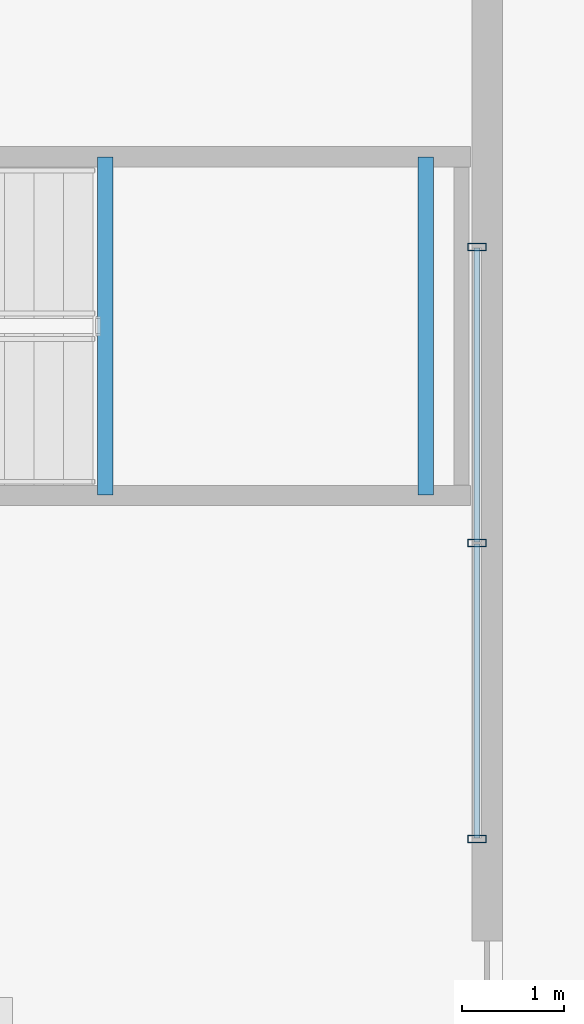
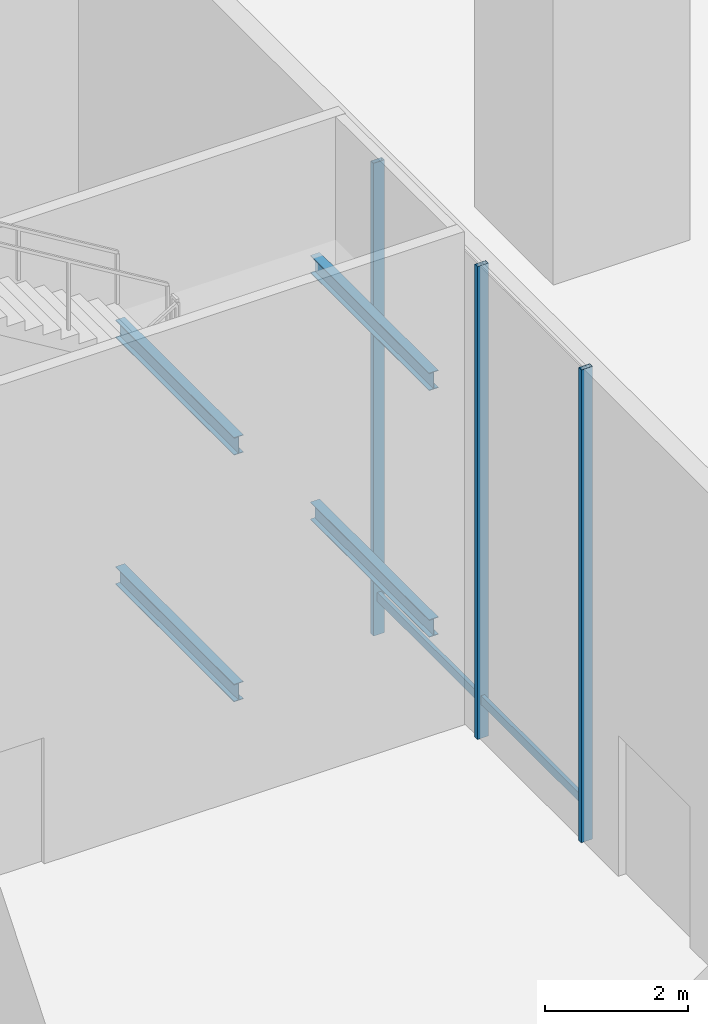
# One storey, part 4 of 12: 5 members, 4 beams, 1 element without a shape of its own.
"""IFC4 building model written with IfcOpenShell, lengths in metres."""

from ifc_helpers import new_model, si_unit, direction, frame, origin, origin_2d, place, context, subcontext, project, spatial, hollow_rectangle, i_section, extrude, material, layer, layer_set, material_profile, profile_set, type_object, element, aggregate, save


model = new_model("IFC4")

# Units and contexts
model_context = context("Model", 3, precision=1e-05, world=origin(), true_north=direction((0.0, 1.0)))
body_context = subcontext(model_context, "Body", "Model", "MODEL_VIEW")
ifc_project = project(units=[si_unit("LENGTHUNIT", "METRE"), si_unit("AREAUNIT", "SQUARE_METRE"), si_unit("VOLUMEUNIT", "CUBIC_METRE"), si_unit("PLANEANGLEUNIT", "RADIAN"), si_unit("MASSUNIT", "GRAM", prefix="KILO")], contexts=[model_context])

# Site, building, storey
site_placement = place(None, origin())
site = spatial("IfcSite", under=ifc_project, at=site_placement, CompositionType="ELEMENT")
building_placement = place(site_placement, origin())
building = spatial("IfcBuilding", under=site, at=building_placement, Name="Belovzor Exchange Tower", CompositionType="ELEMENT")
storey_placement = place(building_placement, origin())
storey = spatial("IfcBuildingStorey", under=building, at=storey_placement, Name="L01", CompositionType="ELEMENT", Elevation=0.0)

# Beams
ifc_material_1 = material(Name="Steel S355", Category="steel")
ifc_material_profile_1 = material_profile(ifc_material_1, i_section(OverallWidth=0.14990234375, OverallDepth=0.300048828125, WebThickness=0.007080078125, FlangeThickness=0.0107421875, at=origin_2d()))
ifc_profile_set_1 = profile_set([ifc_material_profile_1], Name="Steel S355")
beam_type = type_object("IfcBeamType", Name="Secondary Trim Floor Joist IPE 300", PredefinedType="BEAM", material=ifc_profile_set_1)
for number, where, z_axis, x_axis, name in (
    (1, (44.7099609375, 34.169921875, 1.75), (0.0, 1.0, 0.0), (-1.0, 0.0, 0.0), "FJ-300 Secondary Trim Floor Joist IPE 300"),
    (2, (47.85009765625, 34.169921875, 1.75), (0.0, 1.0, 0.0), (-1.0, 0.0, 0.0), "FJ-300 Secondary Trim Floor Joist IPE 300"),
    (3, (44.7099609375, 34.169921875, 5.949951171875), (0.0, 1.0, 0.0), (-1.0, 0.0, 0.0), "FJ-300 Secondary Trim Floor Joist IPE 300"),
    (4, (47.85009765625, 34.169921875, 5.949951171875), (0.0, 1.0, 0.0), (-1.0, 0.0, 0.0), "FJ-300 Secondary Trim Floor Joist IPE 300"),
):
    element("IfcBeam", number, at=place(storey_placement, frame(where, z_axis=z_axis, x_axis=x_axis)), inside=storey, type_object=beam_type, Name=name, PredefinedType="BEAM", context=body_context, shape_type="SweptSolid", body=[
        extrude(i_section(OverallWidth=0.14990234375, OverallDepth=0.300048828125, WebThickness=0.007080078125, FlangeThickness=0.0107421875, at=origin_2d()), origin(), (0.0, 0.0, 1.0), 3.31005859375),
    ])

# Curtain wall, members
ifc_material_2 = material(Name="Anodised Aluminium Framing", Category="aluminium")
ifc_layer = layer(ifc_material_2, 0.2099609375)
ifc_layer_set = layer_set([ifc_layer], Name="Anodised Aluminium Framing")
curtain_wall_type = type_object("IfcCurtainWallType", Name="Double-Height Concourse & Gallery Curtain Wall", PredefinedType="NOTDEFINED", material=ifc_layer_set)
curtain_wall_placement = place(storey_placement, origin())
curtain_wall = element("IfcCurtainWall", 5, at=curtain_wall_placement, inside=storey, type_object=curtain_wall_type, Name="CW2 Double-Height Concourse & Gallery Curtain Wall L01", PredefinedType="NOTDEFINED")
ifc_material_3 = material(Name="Steel S355", Category="steel")
ifc_material_profile_2 = material_profile(ifc_material_3, hollow_rectangle(XDim=0.074951171875, YDim=0.179931640625, WallThickness=0.0048828125, at=origin_2d()))
ifc_profile_set_2 = profile_set([ifc_material_profile_2], Name="Steel S355")
member_type_1 = type_object("IfcMemberType", Name="Thermally Broken Curtain Wall Mullion 180x75", PredefinedType="MULLION", material=ifc_profile_set_2)
member_1_placement = place(storey_placement, frame((48.35009765625, 36.60009765625, 0.0), z_axis=(0.0, 0.0, 1.0), x_axis=(0.0, -1.0, 0.0)))
member_1 = element("IfcMember", 6, at=member_1_placement, type_object=member_type_1, Name="CW-M180 Curtain Wall Mullion 1", PredefinedType="MULLION", context=body_context, shape_type="SweptSolid", body=[
    extrude(hollow_rectangle(XDim=0.074951171875, YDim=0.179931640625, WallThickness=0.0048828125, at=origin_2d()), origin(), (0.0, 0.0, 1.0), 8.050048828125),
])
member_2_placement = place(storey_placement, frame((48.35009765625, 33.699951171875, 0.0), z_axis=(0.0, 0.0, 1.0), x_axis=(0.0, -1.0, 0.0)))
member_2 = element("IfcMember", 7, at=member_2_placement, type_object=member_type_1, Name="CW-M180 Curtain Wall Mullion 2", PredefinedType="MULLION", context=body_context, shape_type="SweptSolid", body=[
    extrude(hollow_rectangle(XDim=0.074951171875, YDim=0.179931640625, WallThickness=0.0048828125, at=origin_2d()), origin(), (0.0, 0.0, 1.0), 8.050048828125),
])
member_3_placement = place(storey_placement, frame((48.35009765625, 30.800048828125, 0.0), z_axis=(0.0, 0.0, 1.0), x_axis=(0.0, -1.0, 0.0)))
member_3 = element("IfcMember", 8, at=member_3_placement, type_object=member_type_1, Name="CW-M180 Curtain Wall Mullion 3", PredefinedType="MULLION", context=body_context, shape_type="SweptSolid", body=[
    extrude(hollow_rectangle(XDim=0.074951171875, YDim=0.179931640625, WallThickness=0.0048828125, at=origin_2d()), origin(), (0.0, 0.0, 1.0), 8.050048828125),
])
ifc_material_4 = material(Name="Steel S355", Category="steel")
ifc_material_profile_3 = material_profile(ifc_material_4, hollow_rectangle(XDim=0.06005859375, YDim=0.14990234375, WallThickness=0.00390625, at=origin_2d()))
ifc_profile_set_3 = profile_set([ifc_material_profile_3], Name="Steel S355")
member_type_2 = type_object("IfcMemberType", Name="Thermally Broken Curtain Wall Transom 150x60", PredefinedType="USERDEFINED", material=ifc_profile_set_3)
member_4_placement = place(storey_placement, frame((48.35009765625, 36.592041015625, 0.64990234375), z_axis=(0.0, -1.0, 0.0), x_axis=(1.0, 0.0, 0.0)))
member_4 = element("IfcMember", 9, at=member_4_placement, type_object=member_type_2, Name="CW-T150 Curtain Wall Transom 1", ObjectType="TRANSOM", PredefinedType="USERDEFINED", context=body_context, shape_type="SweptSolid", body=[
    extrude(hollow_rectangle(XDim=0.06005859375, YDim=0.14990234375, WallThickness=0.00390625, at=origin_2d()), origin(), (0.0, 0.0, 1.0), 2.884033203125),
])
member_5_placement = place(storey_placement, frame((48.35009765625, 33.69189453125, 0.64990234375), z_axis=(0.0, -1.0, 0.0), x_axis=(1.0, 0.0, 0.0)))
member_5 = element("IfcMember", 10, at=member_5_placement, type_object=member_type_2, Name="CW-T150 Curtain Wall Transom 2", ObjectType="TRANSOM", PredefinedType="USERDEFINED", context=body_context, shape_type="SweptSolid", body=[
    extrude(hollow_rectangle(XDim=0.06005859375, YDim=0.14990234375, WallThickness=0.00390625, at=origin_2d()), origin(), (0.0, 0.0, 1.0), 2.8837890625),
])
aggregate(curtain_wall, [member_1, member_2, member_3, member_4, member_5])

save(model, "model.ifc")
